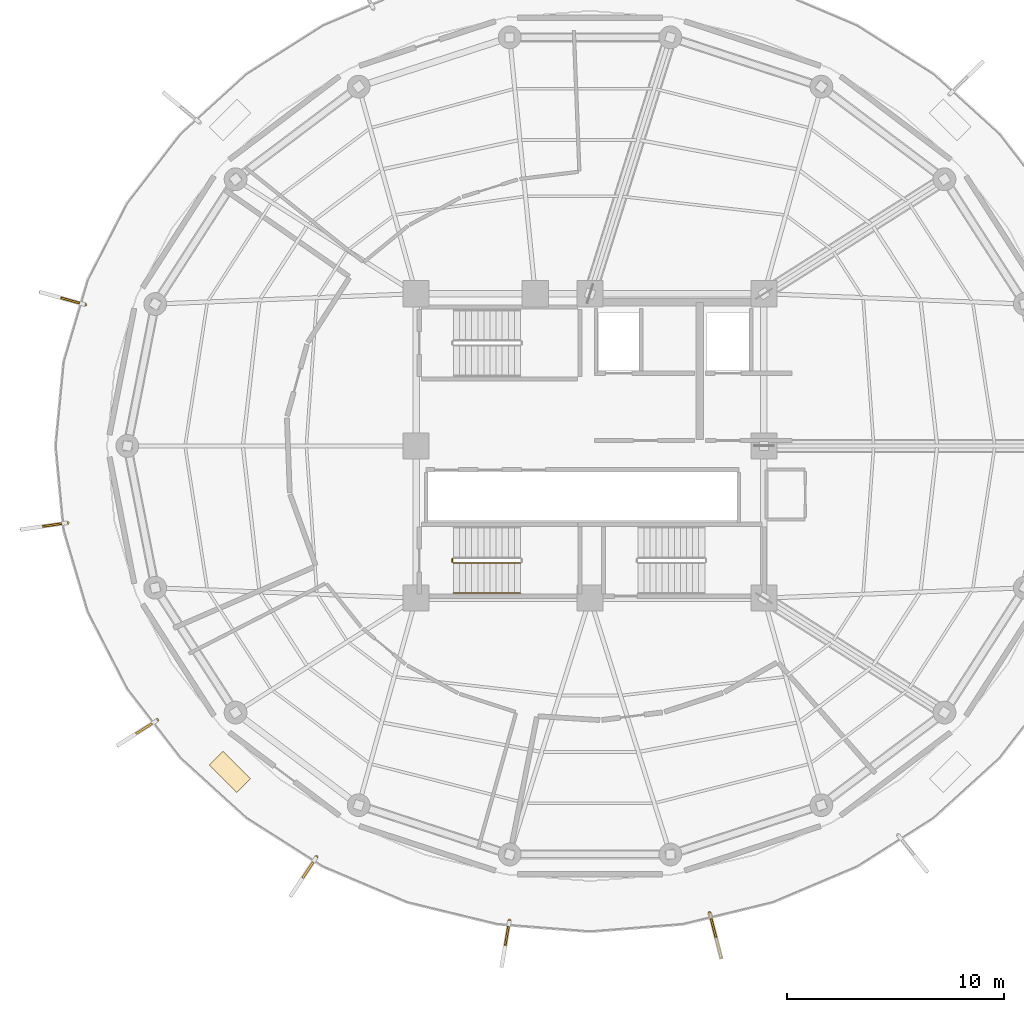
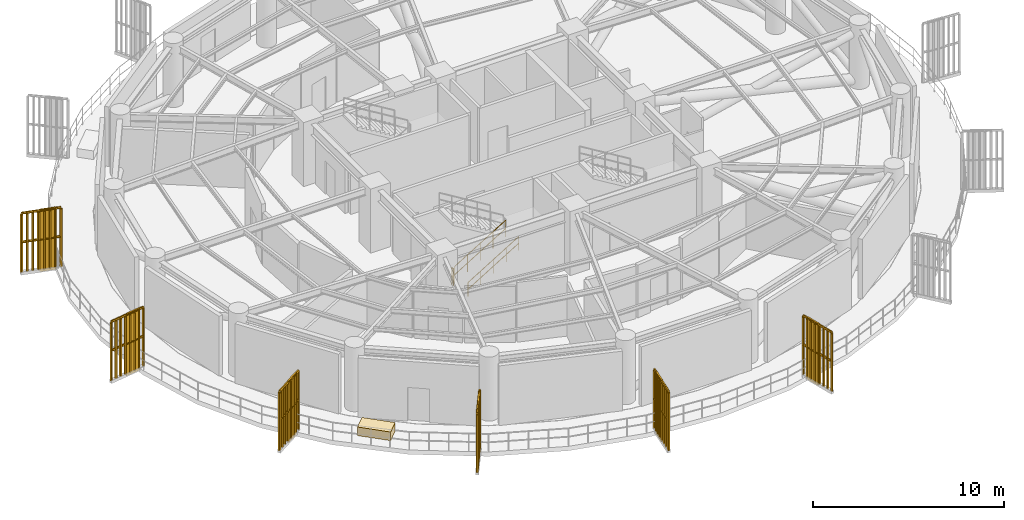
# One storey, part 7 of 10: 9 railings, 6 shading devices, 1 covering.
"""IFC4 building model written with IfcOpenShell, lengths in metres."""

import ifcopenshell
import ifcopenshell.guid

model = None  # the IFC model being written
_history = None  # IfcOwnerHistory: only IFC2X3 demands one
_inside = {}  # id of a spatial element -> (the spatial element, [elements in it])
_under = {}  # id of a project, library or spatial element -> (it, [spatial elements below it])
_declared = {}  # id of a project -> (the project, [libraries it declares])
_typed = {}  # id of a type object -> (the type object, [elements of that type])
_made_of = {}  # id of a material, layer set ... -> (it, [elements and type objects made of it])


def new_model(schema):
    """Start an empty IFC model of exactly this schema.

    Asked for "IFC4X3", IfcOpenShell would pick the latest addendum, in which some entities
    have other attributes; the version numbers below select the first issue.
    IFC2X3 requires an IfcOwnerHistory on every rooted entity: one is made here for all.
    """
    global model, _history
    if schema == "IFC4X3":
        model = ifcopenshell.file(schema_version=(4, 3, 0, 0))
    else:
        model = ifcopenshell.file(schema=schema)
    _inside.clear()
    _under.clear()
    _declared.clear()
    _typed.clear()
    _made_of.clear()
    _history = None
    if model.schema == "IFC2X3":
        org = make("IfcOrganization", Name="unknown")
        user = make(
            "IfcPersonAndOrganization",
            ThePerson=make("IfcPerson", FamilyName="unknown"),
            TheOrganization=org,
        )
        app = make(
            "IfcApplication",
            ApplicationDeveloper=org,
            Version="unknown",
            ApplicationFullName="unknown",
            ApplicationIdentifier="unknown",
        )
        _history = make(
            "IfcOwnerHistory",
            OwningUser=user,
            OwningApplication=app,
            ChangeAction="ADDED",
            CreationDate=0,
        )
    return model


def make(cls, **values):
    """One entity of the class cls with the attributes given. An attribute that is None is left unset."""
    return model.create_entity(
        cls, **{name: value for name, value in values.items() if value is not None}
    )


def rooted(cls, **values):
    """An entity with a GlobalId (a new one), such as an element, a storey or a relation."""
    return make(cls, GlobalId=ifcopenshell.guid.new(), OwnerHistory=_history, **values)


def si_unit(unit_type, name, prefix=None):
    """IfcSIUnit, for example si_unit("LENGTHUNIT", "METRE", prefix="MILLI")."""
    return make("IfcSIUnit", UnitType=unit_type, Prefix=prefix, Name=name)


def assignment(units):
    """IfcUnitAssignment: the units of a project."""
    return None if units is None else make("IfcUnitAssignment", Units=units)


def point(xyz):
    """IfcCartesianPoint."""
    return None if xyz is None else make("IfcCartesianPoint", Coordinates=xyz)


def direction(xyz):
    """IfcDirection."""
    return None if xyz is None else make("IfcDirection", DirectionRatios=xyz)


def frame(location, z_axis=None, x_axis=None):
    """IfcAxis2Placement3D, a coordinate frame: its origin and axes. An axis left out is left unset."""
    return make(
        "IfcAxis2Placement3D",
        Location=point(location),
        Axis=direction(z_axis),
        RefDirection=direction(x_axis),
    )


def frame_2d(location, x_axis=None):
    """IfcAxis2Placement2D, a coordinate frame in the plane: its origin and x axis."""
    return make(
        "IfcAxis2Placement2D", Location=point(location), RefDirection=direction(x_axis)
    )


def origin():
    """The frame at (0, 0, 0) with its axes left unset."""
    return frame((0.0, 0.0, 0.0))


def origin_2d():
    """The frame at (0, 0) in the plane with its x axis left unset."""
    return frame_2d((0.0, 0.0))


def place(relative_to, where):
    """IfcLocalPlacement: puts the frame where relative to a parent placement (None: the world)."""
    return make(
        "IfcLocalPlacement", PlacementRelTo=relative_to, RelativePlacement=where
    )


def context(
    kind, dimensions, precision=None, world=None, true_north=None, identifier=None
):
    """IfcGeometricRepresentationContext, for example the 3D "Model" context."""
    return make(
        "IfcGeometricRepresentationContext",
        ContextIdentifier=identifier,
        ContextType=kind,
        CoordinateSpaceDimension=dimensions,
        Precision=precision,
        WorldCoordinateSystem=world,
        TrueNorth=true_north,
    )


def subcontext(parent, identifier, kind, view, scale=None):
    """IfcGeometricRepresentationSubContext, for example "Body" below "Model"."""
    return make(
        "IfcGeometricRepresentationSubContext",
        ContextIdentifier=identifier,
        ContextType=kind,
        ParentContext=parent,
        TargetScale=scale,
        TargetView=view,
    )


def project(units=None, contexts=None):
    """IfcProject with its units and contexts."""
    return rooted(
        "IfcProject",
        Name="project",
        RepresentationContexts=contexts,
        UnitsInContext=assignment(units),
    )


def spatial(cls, under=None, at=None, **own):
    """A site, building, storey or space (cls), placed at a placement, below another one or the project."""
    s = rooted(cls, ObjectPlacement=at, **own)
    if under is not None:
        _under.setdefault(under.id(), (under, []))[1].append(s)
    return s


def polyline(points):
    """IfcPolyline through the points."""
    return make("IfcPolyline", Points=[point(p) for p in points])


def profile(cls, at=None, kind="AREA", **sizes):
    """A parametric profile (cls). Its sizes go by their IFC names, for example OverallWidth=200.0."""
    return make(cls, ProfileType=kind, Position=at, **sizes)


def rectangle(**sizes):
    """IfcRectangleProfileDef."""
    return profile("IfcRectangleProfileDef", **sizes)


def outline(outer, holes=None, kind="AREA"):
    """IfcArbitraryClosedProfileDef: a profile drawn as a closed curve; with holes, ...WithVoids."""
    if holes is None:
        return make("IfcArbitraryClosedProfileDef", ProfileType=kind, OuterCurve=outer)
    return make(
        "IfcArbitraryProfileDefWithVoids",
        ProfileType=kind,
        OuterCurve=outer,
        InnerCurves=holes,
    )


def extrude(swept, where, along, depth):
    """IfcExtrudedAreaSolid: the profile swept, set in the frame where, extruded along a direction by depth."""
    return make(
        "IfcExtrudedAreaSolid",
        SweptArea=swept,
        Position=where,
        ExtrudedDirection=direction(along),
        Depth=depth,
    )


def shape(context_of_items, identifier, shape_type, items):
    """IfcShapeRepresentation: the items that make up one representation, for example the "Body"."""
    return make(
        "IfcShapeRepresentation",
        ContextOfItems=context_of_items,
        RepresentationIdentifier=identifier,
        RepresentationType=shape_type,
        Items=items,
    )


def source(mapping_origin, context_of_items, identifier, shape_type, items):
    """IfcRepresentationMap: a shape defined once, which mapped items show again and again."""
    return make(
        "IfcRepresentationMap",
        MappingOrigin=mapping_origin,
        MappedRepresentation=shape(context_of_items, identifier, shape_type, items),
    )


def transform(
    local_origin,
    x_axis=None,
    y_axis=None,
    z_axis=None,
    scale=None,
    scale2=None,
    scale3=None,
    uniform=True,
):
    """IfcCartesianTransformationOperator3D, or its non-uniform kind. x_axis, y_axis, z_axis: its Axis1, 2, 3."""
    if uniform:
        return make(
            "IfcCartesianTransformationOperator3D",
            Axis1=direction(x_axis),
            Axis2=direction(y_axis),
            LocalOrigin=point(local_origin),
            Scale=scale,
            Axis3=direction(z_axis),
        )
    return make(
        "IfcCartesianTransformationOperator3DnonUniform",
        Axis1=direction(x_axis),
        Axis2=direction(y_axis),
        LocalOrigin=point(local_origin),
        Scale=scale,
        Axis3=direction(z_axis),
        Scale2=scale2,
        Scale3=scale3,
    )


def mapped(mapping_source, mapping_target):
    """IfcMappedItem: shows the shape of a source again, moved by a transform."""
    return make(
        "IfcMappedItem", MappingSource=mapping_source, MappingTarget=mapping_target
    )


def material(Name=None, Category=None):
    """IfcMaterial."""
    return make("IfcMaterial", Name=Name, Category=Category)


def layer(
    of_material, thickness, ventilated=None, Name=None, Category=None, Priority=None
):
    """IfcMaterialLayer: one layer of a wall or slab, of a material (None: an air gap)."""
    return make(
        "IfcMaterialLayer",
        Material=of_material,
        LayerThickness=thickness,
        IsVentilated=ventilated,
        Name=Name,
        Category=Category,
        Priority=Priority,
    )


def layer_set(layers, Name=None):
    """IfcMaterialLayerSet."""
    return make("IfcMaterialLayerSet", MaterialLayers=layers, LayerSetName=Name)


def made_of(thing, what):
    """Note that an element or type object is made of a material, layer set ...; save() writes the relation."""
    if what is not None:
        _made_of.setdefault(what.id(), (what, []))[1].append(thing)
    return thing


def type_object(cls, material=None, **own):
    """A type object (cls), such as IfcWallType, which elements share."""
    return made_of(rooted(cls, **own), material)


def element(
    cls,
    number,
    at=None,
    inside=None,
    cuts=None,
    type_object=None,
    material=None,
    context=None,
    identifier="Body",
    shape_type=None,
    held_by="IfcProductDefinitionShape",
    body=None,
    shapes=None,
    **own,
):
    """One element of the class cls, such as IfcWall. Its Tag is "e" and its number.

    at: its placement. inside: the storey or other place that contains it. cuts: it is an
    opening in that element (IfcRelVoidsElement). A single representation is given by context,
    identifier, shape_type and body (its items); several are given by shapes. held_by: the class
    of the entity that holds the representations. save() writes the other relations.
    """
    e = rooted(cls, Tag="e%d" % number, ObjectPlacement=at, **own)
    if body is not None:
        shapes = [shape(context, identifier, shape_type, body)]
    if shapes is not None:
        e.Representation = make(held_by, Representations=shapes)
    if inside is not None:
        _inside.setdefault(inside.id(), (inside, []))[1].append(e)
    if cuts is not None:
        rooted(
            "IfcRelVoidsElement", RelatingBuildingElement=cuts, RelatedOpeningElement=e
        )
    if type_object is not None:
        _typed.setdefault(type_object.id(), (type_object, []))[1].append(e)
    return made_of(e, material)


def aggregate(whole, parts):
    """IfcRelAggregates: a whole, such as a stair, and the parts it consists of."""
    return rooted("IfcRelAggregates", RelatingObject=whole, RelatedObjects=parts)


def save(model, path):
    """Write the relations noted so far, then the file.

    IfcRelAggregates (storeys below a building ...), IfcRelContainedInSpatialStructure (elements
    in a storey), IfcRelDefinesByType, IfcRelAssociatesMaterial and IfcRelDeclares: one each for
    every whole, place, type object, material and project.
    """
    for whole, parts in _under.values():
        aggregate(whole, parts)
    for where, things in _inside.values():
        rooted(
            "IfcRelContainedInSpatialStructure",
            RelatedElements=things,
            RelatingStructure=where,
        )
    for kind, things in _typed.values():
        rooted("IfcRelDefinesByType", RelatedObjects=things, RelatingType=kind)
    for what, things in _made_of.values():
        rooted("IfcRelAssociatesMaterial", RelatedObjects=things, RelatingMaterial=what)
    for by, libraries in _declared.values():
        rooted("IfcRelDeclares", RelatingContext=by, RelatedDefinitions=libraries)
    model.write(path)


model = new_model("IFC4")

# Units and contexts
model_context = context("Model", 3, precision=1e-05, world=origin(), true_north=direction((0.0, 1.0)))
body_context = subcontext(model_context, "Body", "Model", "MODEL_VIEW")
ifc_project = project(units=[si_unit("LENGTHUNIT", "METRE"), si_unit("AREAUNIT", "SQUARE_METRE"), si_unit("VOLUMEUNIT", "CUBIC_METRE"), si_unit("PLANEANGLEUNIT", "RADIAN"), si_unit("MASSUNIT", "GRAM", prefix="KILO")], contexts=[model_context])

# Site, building, storey
site_placement = place(None, origin())
site = spatial("IfcSite", under=ifc_project, at=site_placement, CompositionType="ELEMENT")
building_placement = place(site_placement, origin())
building = spatial("IfcBuilding", under=site, at=building_placement, Name="Kelanora Arch Commons", CompositionType="ELEMENT")
storey_placement = place(building_placement, frame((0.0, 0.0, 189.110107421875)))
storey = spatial("IfcBuildingStorey", under=building, at=storey_placement, Name="L48", CompositionType="ELEMENT", Elevation=189.110107421875)

# Railings
ifc_material_1 = material(Name="Anodised bronze vertical shading fin rib assembly")
railing_type_1 = type_object("IfcRailingType", Name="RAIL-FIN-BRZ", PredefinedType="BALUSTRADE", material=ifc_material_1)
railing_1_placement = place(storey_placement, frame((50.784912109375, 64.49609375, -0.02001953125)))
element("IfcRailing", 1, at=railing_1_placement, inside=storey, type_object=railing_type_1, Name="Sweeping Bronze Vertical Fin Blade L48-08", PredefinedType="BALUSTRADE", context=body_context, shape_type="SweptSolid", body=[
    extrude(outline(polyline([(0.06982421875, 0.0), (0.034912109375, 0.060546875), (-0.034912109375, 0.060546875), (-0.06982421875, 0.0), (-0.034912109375, -0.060546875), (0.034912109375, -0.060546875), (0.06982421875, 0.0)])), frame((0.0, 0.0, 3.76025390625), z_axis=(-0.962980682712, 0.269570407729, 0.0), x_axis=(-0.269570407729, -0.962980682712, 0.0)), (0.0, 0.0, 1.0), 2.130126953125),
    extrude(outline(polyline([(0.06982421875, 0.0), (0.034912109375, 0.060546875), (-0.034912109375, 0.060546875), (-0.06982421875, 0.0), (-0.034912109375, -0.060546875), (0.034912109375, -0.060546875), (0.06982421875, 0.0)])), frame((0.0, 0.0, 1.9150390625), z_axis=(-0.962980682712, 0.269570407729, 0.0), x_axis=(-0.269570407729, -0.962980682712, 0.0)), (0.0, 0.0, 1.0), 2.130126953125),
    extrude(outline(polyline([(0.080078125, 0.0), (0.0400390625, 0.0693359375), (-0.0400390625, 0.0693359375), (-0.080078125, 0.0), (-0.0400390625, -0.0693359375), (0.0400390625, -0.0693359375), (0.080078125, 0.0)])), origin(), (0.0, 0.0, 1.0), 3.690185546875),
    extrude(outline(polyline([(0.080078125, 0.0), (0.0400390625, 0.0693359375), (-0.0400390625, 0.0693359375), (-0.080078125, 0.0), (-0.0400390625, -0.0693359375), (0.0400390625, -0.0693359375), (0.080078125, 0.0)])), frame((-0.29296875, 0.08203125, 0.0)), (0.0, 0.0, 1.0), 3.690185546875),
    extrude(outline(polyline([(0.080078125, 0.0), (0.0400390625, 0.0693359375), (-0.0400390625, 0.0693359375), (-0.080078125, 0.0), (-0.0400390625, -0.0693359375), (0.0400390625, -0.0693359375), (0.080078125, 0.0)])), frame((-0.586181640625, 0.1640625, 0.0)), (0.0, 0.0, 1.0), 3.690185546875),
    extrude(outline(polyline([(0.080078125, 0.0), (0.0400390625, 0.0693359375), (-0.0400390625, 0.0693359375), (-0.080078125, 0.0), (-0.0400390625, -0.0693359375), (0.0400390625, -0.0693359375), (0.080078125, 0.0)])), frame((-0.879150390625, 0.24609375, 0.0)), (0.0, 0.0, 1.0), 3.690185546875),
    extrude(outline(polyline([(0.080078125, 0.0), (0.0400390625, 0.0693359375), (-0.0400390625, 0.0693359375), (-0.080078125, 0.0), (-0.0400390625, -0.0693359375), (0.0400390625, -0.0693359375), (0.080078125, 0.0)])), frame((-1.172119140625, 0.328125, 0.0)), (0.0, 0.0, 1.0), 3.690185546875),
    extrude(outline(polyline([(0.080078125, 0.0), (0.0400390625, 0.0693359375), (-0.0400390625, 0.0693359375), (-0.080078125, 0.0), (-0.0400390625, -0.0693359375), (0.0400390625, -0.0693359375), (0.080078125, 0.0)])), frame((-1.465087890625, 0.41015625, 0.0)), (0.0, 0.0, 1.0), 3.690185546875),
    extrude(outline(polyline([(0.080078125, 0.0), (0.0400390625, 0.0693359375), (-0.0400390625, 0.0693359375), (-0.080078125, 0.0), (-0.0400390625, -0.0693359375), (0.0400390625, -0.0693359375), (0.080078125, 0.0)])), frame((-1.75830078125, 0.4921875, 0.0)), (0.0, 0.0, 1.0), 3.690185546875),
    extrude(outline(polyline([(0.080078125, 0.0), (0.0400390625, 0.0693359375), (-0.0400390625, 0.0693359375), (-0.080078125, 0.0), (-0.0400390625, -0.0693359375), (0.0400390625, -0.0693359375), (0.080078125, 0.0)])), frame((-2.05126953125, 0.57421875, 0.0)), (0.0, 0.0, 1.0), 3.690185546875),
])
railing_2_placement = place(storey_placement, frame((49.97119140625, 54.4658203125, -0.02001953125)))
element("IfcRailing", 2, at=railing_2_placement, inside=storey, type_object=railing_type_1, Name="Sweeping Bronze Vertical Fin Blade L48-09", PredefinedType="BALUSTRADE", context=body_context, shape_type="SweptSolid", body=[
    extrude(outline(polyline([(0.06982421875, 0.0), (0.034912109375, 0.060546875), (-0.034912109375, 0.060546875), (-0.06982421875, 0.0), (-0.034912109375, -0.060546875), (0.034912109375, -0.060546875), (0.06982421875, 0.0)])), frame((0.0, 0.0, 3.76025390625), z_axis=(-0.989363502665, -0.145464289756, 0.0), x_axis=(0.145464289756, -0.989363502665, 0.0)), (0.0, 0.0, 1.0), 2.1298828125),
    extrude(outline(polyline([(0.06982421875, 0.0), (0.034912109375, 0.060546875), (-0.034912109375, 0.060546875), (-0.06982421875, 0.0), (-0.034912109375, -0.060546875), (0.034912109375, -0.060546875), (0.06982421875, 0.0)])), frame((0.0, 0.0, 1.9150390625), z_axis=(-0.989363502665, -0.145464289756, 0.0), x_axis=(0.145464289756, -0.989363502665, 0.0)), (0.0, 0.0, 1.0), 2.1298828125),
    extrude(outline(polyline([(0.080078125, 0.0), (0.0400390625, 0.0693359375), (-0.0400390625, 0.0693359375), (-0.080078125, 0.0), (-0.0400390625, -0.0693359375), (0.0400390625, -0.0693359375), (0.080078125, 0.0)])), origin(), (0.0, 0.0, 1.0), 3.690185546875),
    extrude(outline(polyline([(0.080078125, 0.0), (0.0400390625, 0.0693359375), (-0.0400390625, 0.0693359375), (-0.080078125, 0.0), (-0.0400390625, -0.0693359375), (0.0400390625, -0.0693359375), (0.080078125, 0.0)])), frame((-0.301025390625, -0.044189453125, 0.0)), (0.0, 0.0, 1.0), 3.690185546875),
    extrude(outline(polyline([(0.080078125, 0.0), (0.0400390625, 0.0693359375), (-0.0400390625, 0.0693359375), (-0.080078125, 0.0), (-0.0400390625, -0.0693359375), (0.0400390625, -0.0693359375), (0.080078125, 0.0)])), frame((-0.60205078125, -0.088623046875, 0.0)), (0.0, 0.0, 1.0), 3.690185546875),
    extrude(outline(polyline([(0.080078125, 0.0), (0.0400390625, 0.0693359375), (-0.0400390625, 0.0693359375), (-0.080078125, 0.0), (-0.0400390625, -0.0693359375), (0.0400390625, -0.0693359375), (0.080078125, 0.0)])), frame((-0.903076171875, -0.1328125, 0.0)), (0.0, 0.0, 1.0), 3.690185546875),
    extrude(outline(polyline([(0.080078125, 0.0), (0.0400390625, 0.0693359375), (-0.0400390625, 0.0693359375), (-0.080078125, 0.0), (-0.0400390625, -0.0693359375), (0.0400390625, -0.0693359375), (0.080078125, 0.0)])), frame((-1.2041015625, -0.177001953125, 0.0)), (0.0, 0.0, 1.0), 3.690185546875),
    extrude(outline(polyline([(0.080078125, 0.0), (0.0400390625, 0.0693359375), (-0.0400390625, 0.0693359375), (-0.080078125, 0.0), (-0.0400390625, -0.0693359375), (0.0400390625, -0.0693359375), (0.080078125, 0.0)])), frame((-1.505126953125, -0.22119140625, 0.0)), (0.0, 0.0, 1.0), 3.690185546875),
    extrude(outline(polyline([(0.080078125, 0.0), (0.0400390625, 0.0693359375), (-0.0400390625, 0.0693359375), (-0.080078125, 0.0), (-0.0400390625, -0.0693359375), (0.0400390625, -0.0693359375), (0.080078125, 0.0)])), frame((-1.80615234375, -0.265625, 0.0)), (0.0, 0.0, 1.0), 3.690185546875),
    extrude(outline(polyline([(0.080078125, 0.0), (0.0400390625, 0.0693359375), (-0.0400390625, 0.0693359375), (-0.080078125, 0.0), (-0.0400390625, -0.0693359375), (0.0400390625, -0.0693359375), (0.080078125, 0.0)])), frame((-2.107177734375, -0.309814453125, 0.0)), (0.0, 0.0, 1.0), 3.690185546875),
])
railing_3_placement = place(storey_placement, frame((54.095458984375, 45.38427734375, -0.02001953125)))
element("IfcRailing", 3, at=railing_3_placement, inside=storey, type_object=railing_type_1, Name="Sweeping Bronze Vertical Fin Blade L48-10", PredefinedType="BALUSTRADE", context=body_context, shape_type="SweptSolid", body=[
    extrude(outline(polyline([(0.06982421875, 0.0), (0.034912109375, 0.060546875), (-0.034912109375, 0.060546875), (-0.06982421875, 0.0), (-0.034912109375, -0.060546875), (0.034912109375, -0.060546875), (0.06982421875, 0.0)])), frame((0.0, 0.0, 3.76025390625), z_axis=(-0.8446135023, -0.535376532669, 0.0), x_axis=(0.535376532669, -0.8446135023, 0.0)), (0.0, 0.0, 1.0), 2.130126953125),
    extrude(outline(polyline([(0.06982421875, 0.0), (0.034912109375, 0.060546875), (-0.034912109375, 0.060546875), (-0.06982421875, 0.0), (-0.034912109375, -0.060546875), (0.034912109375, -0.060546875), (0.06982421875, 0.0)])), frame((0.0, 0.0, 1.9150390625), z_axis=(-0.8446135023, -0.535376532669, 0.0), x_axis=(0.535376532669, -0.8446135023, 0.0)), (0.0, 0.0, 1.0), 2.130126953125),
    extrude(outline(polyline([(0.080078125, 0.0), (0.0400390625, 0.0693359375), (-0.0400390625, 0.0693359375), (-0.080078125, 0.0), (-0.0400390625, -0.0693359375), (0.0400390625, -0.0693359375), (0.080078125, 0.0)])), origin(), (0.0, 0.0, 1.0), 3.690185546875),
    extrude(outline(polyline([(0.080078125, 0.0), (0.0400390625, 0.0693359375), (-0.0400390625, 0.0693359375), (-0.080078125, 0.0), (-0.0400390625, -0.0693359375), (0.0400390625, -0.0693359375), (0.080078125, 0.0)])), frame((-0.257080078125, -0.162841796875, 0.0)), (0.0, 0.0, 1.0), 3.690185546875),
    extrude(outline(polyline([(0.080078125, 0.0), (0.0400390625, 0.0693359375), (-0.0400390625, 0.0693359375), (-0.080078125, 0.0), (-0.0400390625, -0.0693359375), (0.0400390625, -0.0693359375), (0.080078125, 0.0)])), frame((-0.513916015625, -0.325927734375, 0.0)), (0.0, 0.0, 1.0), 3.690185546875),
    extrude(outline(polyline([(0.080078125, 0.0), (0.0400390625, 0.0693359375), (-0.0400390625, 0.0693359375), (-0.080078125, 0.0), (-0.0400390625, -0.0693359375), (0.0400390625, -0.0693359375), (0.080078125, 0.0)])), frame((-0.77099609375, -0.48876953125, 0.0)), (0.0, 0.0, 1.0), 3.690185546875),
    extrude(outline(polyline([(0.080078125, 0.0), (0.0400390625, 0.0693359375), (-0.0400390625, 0.0693359375), (-0.080078125, 0.0), (-0.0400390625, -0.0693359375), (0.0400390625, -0.0693359375), (0.080078125, 0.0)])), frame((-1.028076171875, -0.651611328125, 0.0)), (0.0, 0.0, 1.0), 3.690185546875),
    extrude(outline(polyline([(0.080078125, 0.0), (0.0400390625, 0.0693359375), (-0.0400390625, 0.0693359375), (-0.080078125, 0.0), (-0.0400390625, -0.0693359375), (0.0400390625, -0.0693359375), (0.080078125, 0.0)])), frame((-1.28515625, -0.814453125, 0.0)), (0.0, 0.0, 1.0), 3.690185546875),
    extrude(outline(polyline([(0.080078125, 0.0), (0.0400390625, 0.0693359375), (-0.0400390625, 0.0693359375), (-0.080078125, 0.0), (-0.0400390625, -0.0693359375), (0.0400390625, -0.0693359375), (0.080078125, 0.0)])), frame((-1.5419921875, -0.9775390625, 0.0)), (0.0, 0.0, 1.0), 3.690185546875),
    extrude(outline(polyline([(0.080078125, 0.0), (0.0400390625, 0.0693359375), (-0.0400390625, 0.0693359375), (-0.080078125, 0.0), (-0.0400390625, -0.0693359375), (0.0400390625, -0.0693359375), (0.080078125, 0.0)])), frame((-1.799072265625, -1.140380859375, 0.0)), (0.0, 0.0, 1.0), 3.690185546875),
])
railing_4_placement = place(storey_placement, frame((61.422607421875, 39.09326171875, -0.02001953125)))
element("IfcRailing", 4, at=railing_4_placement, inside=storey, type_object=railing_type_1, Name="Sweeping Bronze Vertical Fin Blade L48-11", PredefinedType="BALUSTRADE", context=body_context, shape_type="SweptSolid", body=[
    extrude(outline(polyline([(0.06982421875, 0.0), (0.034912109375, 0.060546875), (-0.034912109375, 0.060546875), (-0.06982421875, 0.0), (-0.034912109375, -0.060546875), (0.034912109375, -0.060546875), (0.06982421875, 0.0)])), frame((0.0, 0.0, 3.76025390625), z_axis=(-0.553853469867, -0.832614156687, 0.0), x_axis=(0.832614156687, -0.553853469867, 0.0)), (0.0, 0.0, 1.0), 2.1298828125),
    extrude(outline(polyline([(0.06982421875, 0.0), (0.034912109375, 0.060546875), (-0.034912109375, 0.060546875), (-0.06982421875, 0.0), (-0.034912109375, -0.060546875), (0.034912109375, -0.060546875), (0.06982421875, 0.0)])), frame((0.0, 0.0, 1.9150390625), z_axis=(-0.553853469867, -0.832614156687, 0.0), x_axis=(0.832614156687, -0.553853469867, 0.0)), (0.0, 0.0, 1.0), 2.1298828125),
    extrude(outline(polyline([(0.080078125, 0.0), (0.0400390625, 0.0693359375), (-0.0400390625, 0.0693359375), (-0.080078125, 0.0), (-0.0400390625, -0.0693359375), (0.0400390625, -0.0693359375), (0.080078125, 0.0)])), origin(), (0.0, 0.0, 1.0), 3.690185546875),
    extrude(outline(polyline([(0.080078125, 0.0), (0.0400390625, 0.0693359375), (-0.0400390625, 0.0693359375), (-0.080078125, 0.0), (-0.0400390625, -0.0693359375), (0.0400390625, -0.0693359375), (0.080078125, 0.0)])), frame((-0.16845703125, -0.25341796875, 0.0)), (0.0, 0.0, 1.0), 3.690185546875),
    extrude(outline(polyline([(0.080078125, 0.0), (0.0400390625, 0.0693359375), (-0.0400390625, 0.0693359375), (-0.080078125, 0.0), (-0.0400390625, -0.0693359375), (0.0400390625, -0.0693359375), (0.080078125, 0.0)])), frame((-0.337158203125, -0.506591796875, 0.0)), (0.0, 0.0, 1.0), 3.690185546875),
    extrude(outline(polyline([(0.080078125, 0.0), (0.0400390625, 0.0693359375), (-0.0400390625, 0.0693359375), (-0.080078125, 0.0), (-0.0400390625, -0.0693359375), (0.0400390625, -0.0693359375), (0.080078125, 0.0)])), frame((-0.505615234375, -0.760009765625, 0.0)), (0.0, 0.0, 1.0), 3.690185546875),
    extrude(outline(polyline([(0.080078125, 0.0), (0.0400390625, 0.0693359375), (-0.0400390625, 0.0693359375), (-0.080078125, 0.0), (-0.0400390625, -0.0693359375), (0.0400390625, -0.0693359375), (0.080078125, 0.0)])), frame((-0.674072265625, -1.013427734375, 0.0)), (0.0, 0.0, 1.0), 3.690185546875),
    extrude(outline(polyline([(0.080078125, 0.0), (0.0400390625, 0.0693359375), (-0.0400390625, 0.0693359375), (-0.080078125, 0.0), (-0.0400390625, -0.0693359375), (0.0400390625, -0.0693359375), (0.080078125, 0.0)])), frame((-0.842529296875, -1.266845703125, 0.0)), (0.0, 0.0, 1.0), 3.690185546875),
    extrude(outline(polyline([(0.080078125, 0.0), (0.0400390625, 0.0693359375), (-0.0400390625, 0.0693359375), (-0.080078125, 0.0), (-0.0400390625, -0.0693359375), (0.0400390625, -0.0693359375), (0.080078125, 0.0)])), frame((-1.01123046875, -1.52001953125, 0.0)), (0.0, 0.0, 1.0), 3.690185546875),
    extrude(outline(polyline([(0.080078125, 0.0), (0.0400390625, 0.0693359375), (-0.0400390625, 0.0693359375), (-0.080078125, 0.0), (-0.0400390625, -0.0693359375), (0.0400390625, -0.0693359375), (0.080078125, 0.0)])), frame((-1.1796875, -1.7734375, 0.0)), (0.0, 0.0, 1.0), 3.690185546875),
])
railing_5_placement = place(storey_placement, frame((70.29541015625, 36.17431640625, -0.02001953125)))
element("IfcRailing", 5, at=railing_5_placement, inside=storey, type_object=railing_type_1, Name="Sweeping Bronze Vertical Fin Blade L48-12", PredefinedType="BALUSTRADE", context=body_context, shape_type="SweptSolid", body=[
    extrude(outline(polyline([(0.06982421875, 0.0), (0.034912109375, 0.060546875), (-0.034912109375, 0.060546875), (-0.06982421875, 0.0), (-0.034912109375, -0.060546875), (0.034912109375, -0.060546875), (0.06982421875, 0.0)])), frame((0.0, 0.0, 3.76025390625), z_axis=(-0.167223420176, -0.985919026972, 0.0), x_axis=(0.985919026972, -0.167223420176, 0.0)), (0.0, 0.0, 1.0), 2.130126953125),
    extrude(outline(polyline([(0.06982421875, 0.0), (0.034912109375, 0.060546875), (-0.034912109375, 0.060546875), (-0.06982421875, 0.0), (-0.034912109375, -0.060546875), (0.034912109375, -0.060546875), (0.06982421875, 0.0)])), frame((0.0, 0.0, 1.9150390625), z_axis=(-0.167223420176, -0.985919026972, 0.0), x_axis=(0.985919026972, -0.167223420176, 0.0)), (0.0, 0.0, 1.0), 2.130126953125),
    extrude(outline(polyline([(0.080078125, 0.0), (0.0400390625, 0.0693359375), (-0.0400390625, 0.0693359375), (-0.080078125, 0.0), (-0.0400390625, -0.0693359375), (0.0400390625, -0.0693359375), (0.080078125, 0.0)])), origin(), (0.0, 0.0, 1.0), 3.690185546875),
    extrude(outline(polyline([(0.080078125, 0.0), (0.0400390625, 0.0693359375), (-0.0400390625, 0.0693359375), (-0.080078125, 0.0), (-0.0400390625, -0.0693359375), (0.0400390625, -0.0693359375), (0.080078125, 0.0)])), frame((-0.05078125, -0.300048828125, 0.0)), (0.0, 0.0, 1.0), 3.690185546875),
    extrude(outline(polyline([(0.080078125, 0.0), (0.0400390625, 0.0693359375), (-0.0400390625, 0.0693359375), (-0.080078125, 0.0), (-0.0400390625, -0.0693359375), (0.0400390625, -0.0693359375), (0.080078125, 0.0)])), frame((-0.101806640625, -0.60009765625, 0.0)), (0.0, 0.0, 1.0), 3.690185546875),
    extrude(outline(polyline([(0.080078125, 0.0), (0.0400390625, 0.0693359375), (-0.0400390625, 0.0693359375), (-0.080078125, 0.0), (-0.0400390625, -0.0693359375), (0.0400390625, -0.0693359375), (0.080078125, 0.0)])), frame((-0.152587890625, -0.900146484375, 0.0)), (0.0, 0.0, 1.0), 3.690185546875),
    extrude(outline(polyline([(0.080078125, 0.0), (0.0400390625, 0.0693359375), (-0.0400390625, 0.0693359375), (-0.080078125, 0.0), (-0.0400390625, -0.0693359375), (0.0400390625, -0.0693359375), (0.080078125, 0.0)])), frame((-0.20361328125, -1.199951171875, 0.0)), (0.0, 0.0, 1.0), 3.690185546875),
    extrude(outline(polyline([(0.080078125, 0.0), (0.0400390625, 0.0693359375), (-0.0400390625, 0.0693359375), (-0.080078125, 0.0), (-0.0400390625, -0.0693359375), (0.0400390625, -0.0693359375), (0.080078125, 0.0)])), frame((-0.25439453125, -1.5, 0.0)), (0.0, 0.0, 1.0), 3.690185546875),
    extrude(outline(polyline([(0.080078125, 0.0), (0.0400390625, 0.0693359375), (-0.0400390625, 0.0693359375), (-0.080078125, 0.0), (-0.0400390625, -0.0693359375), (0.0400390625, -0.0693359375), (0.080078125, 0.0)])), frame((-0.305419921875, -1.800048828125, 0.0)), (0.0, 0.0, 1.0), 3.690185546875),
    extrude(outline(polyline([(0.080078125, 0.0), (0.0400390625, 0.0693359375), (-0.0400390625, 0.0693359375), (-0.080078125, 0.0), (-0.0400390625, -0.0693359375), (0.0400390625, -0.0693359375), (0.080078125, 0.0)])), frame((-0.356201171875, -2.10009765625, 0.0)), (0.0, 0.0, 1.0), 3.690185546875),
])
railing_6_placement = place(storey_placement, frame((79.50048828125, 36.525634765625, -0.02001953125)))
element("IfcRailing", 6, at=railing_6_placement, inside=storey, type_object=railing_type_1, Name="Sweeping Bronze Vertical Fin Blade L48-13", PredefinedType="BALUSTRADE", context=body_context, shape_type="SweptSolid", body=[
    extrude(outline(polyline([(0.06982421875, 0.0), (0.034912109375, 0.060546875), (-0.034912109375, 0.060546875), (-0.06982421875, 0.0), (-0.034912109375, -0.060546875), (0.034912109375, -0.060546875), (0.06982421875, 0.0)])), frame((0.0, 0.0, 3.76025390625), z_axis=(0.248140951927, -0.96872393796, 0.0), x_axis=(0.96872393796, 0.248140951927, 0.0)), (0.0, 0.0, 1.0), 2.130126953125),
    extrude(outline(polyline([(0.06982421875, 0.0), (0.034912109375, 0.060546875), (-0.034912109375, 0.060546875), (-0.06982421875, 0.0), (-0.034912109375, -0.060546875), (0.034912109375, -0.060546875), (0.06982421875, 0.0)])), frame((0.0, 0.0, 1.9150390625), z_axis=(0.248140951927, -0.96872393796, 0.0), x_axis=(0.96872393796, 0.248140951927, 0.0)), (0.0, 0.0, 1.0), 2.130126953125),
    extrude(outline(polyline([(0.080078125, 0.0), (0.0400390625, 0.0693359375), (-0.0400390625, 0.0693359375), (-0.080078125, 0.0), (-0.0400390625, -0.0693359375), (0.0400390625, -0.0693359375), (0.080078125, 0.0)])), origin(), (0.0, 0.0, 1.0), 3.690185546875),
    extrude(outline(polyline([(0.080078125, 0.0), (0.0400390625, 0.0693359375), (-0.0400390625, 0.0693359375), (-0.080078125, 0.0), (-0.0400390625, -0.0693359375), (0.0400390625, -0.0693359375), (0.080078125, 0.0)])), frame((0.075439453125, -0.294677734375, 0.0)), (0.0, 0.0, 1.0), 3.690185546875),
    extrude(outline(polyline([(0.080078125, 0.0), (0.0400390625, 0.0693359375), (-0.0400390625, 0.0693359375), (-0.080078125, 0.0), (-0.0400390625, -0.0693359375), (0.0400390625, -0.0693359375), (0.080078125, 0.0)])), frame((0.151123046875, -0.589599609375, 0.0)), (0.0, 0.0, 1.0), 3.690185546875),
    extrude(outline(polyline([(0.080078125, 0.0), (0.0400390625, 0.0693359375), (-0.0400390625, 0.0693359375), (-0.080078125, 0.0), (-0.0400390625, -0.0693359375), (0.0400390625, -0.0693359375), (0.080078125, 0.0)])), frame((0.2265625, -0.88427734375, 0.0)), (0.0, 0.0, 1.0), 3.690185546875),
    extrude(outline(polyline([(0.080078125, 0.0), (0.0400390625, 0.0693359375), (-0.0400390625, 0.0693359375), (-0.080078125, 0.0), (-0.0400390625, -0.0693359375), (0.0400390625, -0.0693359375), (0.080078125, 0.0)])), frame((0.302001953125, -1.17919921875, 0.0)), (0.0, 0.0, 1.0), 3.690185546875),
    extrude(outline(polyline([(0.080078125, 0.0), (0.0400390625, 0.0693359375), (-0.0400390625, 0.0693359375), (-0.080078125, 0.0), (-0.0400390625, -0.0693359375), (0.0400390625, -0.0693359375), (0.080078125, 0.0)])), frame((0.37744140625, -1.473876953125, 0.0)), (0.0, 0.0, 1.0), 3.690185546875),
    extrude(outline(polyline([(0.080078125, 0.0), (0.0400390625, 0.0693359375), (-0.0400390625, 0.0693359375), (-0.080078125, 0.0), (-0.0400390625, -0.0693359375), (0.0400390625, -0.0693359375), (0.080078125, 0.0)])), frame((0.453125, -1.768798828125, 0.0)), (0.0, 0.0, 1.0), 3.690185546875),
    extrude(outline(polyline([(0.080078125, 0.0), (0.0400390625, 0.0693359375), (-0.0400390625, 0.0693359375), (-0.080078125, 0.0), (-0.0400390625, -0.0693359375), (0.0400390625, -0.0693359375), (0.080078125, 0.0)])), frame((0.528564453125, -2.0634765625, 0.0)), (0.0, 0.0, 1.0), 3.690185546875),
])
ifc_material_2 = material(Name="Painted steel stair well guard", Category="steel")
railing_type_2 = type_object("IfcRailingType", Name="RAIL-STAIR-GRD", PredefinedType="GUARDRAIL", material=ifc_material_2)
railing_7_placement = place(storey_placement, frame((67.719970703125, 52.610107421875, 0.17041015625)))
element("IfcRailing", 7, at=railing_7_placement, inside=storey, type_object=railing_type_2, Name="L48 ST-T3 stair guard 1", PredefinedType="GUARDRAIL", context=body_context, shape_type="SweptSolid", body=[
    extrude(outline(polyline([(0.02392578125, 0.0), (0.011962890625, 0.020751953125), (-0.011962890625, 0.020751953125), (-0.02392578125, 0.0), (-0.011962890625, -0.020751953125), (0.011962890625, -0.020751953125), (0.02392578125, 0.0)])), frame((0.0, 0.0, 1.076171875), z_axis=(0.854237778674, 0.0, 0.51988250354), x_axis=(0.0, 1.0, 0.0)), (0.0, 0.0, 1.0), 3.605712890625),
    extrude(outline(polyline([(0.02392578125, 0.0), (0.011962890625, 0.020751953125), (-0.011962890625, 0.020751953125), (-0.02392578125, 0.0), (-0.011962890625, -0.020751953125), (0.011962890625, -0.020751953125), (0.02392578125, 0.0)])), frame((0.0, 0.0, 0.550048828125), z_axis=(0.854237778674, 0.0, 0.51988250354), x_axis=(0.0, 1.0, 0.0)), (0.0, 0.0, 1.0), 3.605712890625),
    extrude(outline(polyline([(0.02099609375, 0.0), (0.010498046875, 0.01806640625), (-0.010498046875, 0.01806640625), (-0.02099609375, 0.0), (-0.010498046875, -0.01806640625), (0.010498046875, -0.01806640625), (0.02099609375, 0.0)])), origin(), (0.0, 0.0, 1.0), 1.052001953125),
    extrude(outline(polyline([(0.02099609375, 0.0), (0.010498046875, 0.01806640625), (-0.010498046875, 0.01806640625), (-0.02099609375, 0.0), (-0.010498046875, -0.01806640625), (0.010498046875, -0.01806640625), (0.02099609375, 0.0)])), frame((0.77001953125, 0.0, 0.46875)), (0.0, 0.0, 1.0), 1.052001953125),
    extrude(outline(polyline([(0.02099609375, 0.0), (0.010498046875, 0.01806640625), (-0.010498046875, 0.01806640625), (-0.02099609375, 0.0), (-0.010498046875, -0.01806640625), (0.010498046875, -0.01806640625), (0.02099609375, 0.0)])), frame((1.5400390625, 0.0, 0.937255859375)), (0.0, 0.0, 1.0), 1.052001953125),
    extrude(outline(polyline([(0.02099609375, 0.0), (0.010498046875, 0.01806640625), (-0.010498046875, 0.01806640625), (-0.02099609375, 0.0), (-0.010498046875, -0.01806640625), (0.010498046875, -0.01806640625), (0.02099609375, 0.0)])), frame((2.31005859375, 0.0, 1.40576171875)), (0.0, 0.0, 1.0), 1.052001953125),
    extrude(outline(polyline([(0.02099609375, 0.0), (0.010498046875, 0.01806640625), (-0.010498046875, 0.01806640625), (-0.02099609375, 0.0), (-0.010498046875, -0.01806640625), (0.010498046875, -0.01806640625), (0.02099609375, 0.0)])), frame((3.080078125, 0.0, 1.87451171875)), (0.0, 0.0, 1.0), 1.052001953125),
])
railing_8_placement = place(storey_placement, frame((67.669921875, 52.659912109375, 0.0)))
element("IfcRailing", 8, at=railing_8_placement, inside=storey, type_object=railing_type_2, Name="L48 ST-T3 stair guard 4", PredefinedType="GUARDRAIL", context=body_context, shape_type="SweptSolid", body=[
    extrude(outline(polyline([(0.02392578125, 0.0), (0.011962890625, 0.020751953125), (-0.011962890625, 0.020751953125), (-0.02392578125, 0.0), (-0.011962890625, -0.020751953125), (0.011962890625, -0.020751953125), (0.02392578125, 0.0)])), frame((0.0, 0.0, 1.076171875), z_axis=(0.0, 1.0, 0.0), x_axis=(-1.0, 0.0, 0.0)), (0.0, 0.0, 1.0), 0.150146484375),
    extrude(outline(polyline([(0.02392578125, 0.0), (0.011962890625, 0.020751953125), (-0.011962890625, 0.020751953125), (-0.02392578125, 0.0), (-0.011962890625, -0.020751953125), (0.011962890625, -0.020751953125), (0.02392578125, 0.0)])), frame((0.0, 0.0, 0.550048828125), z_axis=(0.0, 1.0, 0.0), x_axis=(-1.0, 0.0, 0.0)), (0.0, 0.0, 1.0), 0.150146484375),
    extrude(outline(polyline([(0.02099609375, 0.0), (0.010498046875, 0.01806640625), (-0.010498046875, 0.01806640625), (-0.02099609375, 0.0), (-0.010498046875, -0.01806640625), (0.010498046875, -0.01806640625), (0.02099609375, 0.0)])), origin(), (0.0, 0.0, 1.0), 1.052001953125),
    extrude(outline(polyline([(0.02099609375, 0.0), (0.010498046875, 0.01806640625), (-0.010498046875, 0.01806640625), (-0.02099609375, 0.0), (-0.010498046875, -0.01806640625), (0.010498046875, -0.01806640625), (0.02099609375, 0.0)])), frame((0.0, 0.150146484375, 0.0)), (0.0, 0.0, 1.0), 1.052001953125),
])
ifc_material_3 = material(Name="Brushed stainless steel stair handrail", Category="steel")
railing_type_3 = type_object("IfcRailingType", Name="RAIL-STAIR-HND", PredefinedType="HANDRAIL", material=ifc_material_3)
railing_9_placement = place(storey_placement, frame((67.719970703125, 51.22998046875, 0.17041015625)))
element("IfcRailing", 9, at=railing_9_placement, inside=storey, type_object=railing_type_3, Name="L48 ST-T3 stair handrail 1", PredefinedType="HANDRAIL", context=body_context, shape_type="SweptSolid", body=[
    extrude(outline(polyline([(0.02392578125, 0.0), (0.011962890625, 0.020751953125), (-0.011962890625, 0.020751953125), (-0.02392578125, 0.0), (-0.011962890625, -0.020751953125), (0.011962890625, -0.020751953125), (0.02392578125, 0.0)])), frame((0.0, 0.0, 0.8759765625), z_axis=(0.854237778674, 0.0, 0.51988250354), x_axis=(0.0, 1.0, 0.0)), (0.0, 0.0, 1.0), 3.605712890625),
    extrude(outline(polyline([(0.02392578125, 0.0), (0.011962890625, 0.020751953125), (-0.011962890625, 0.020751953125), (-0.02392578125, 0.0), (-0.011962890625, -0.020751953125), (0.011962890625, -0.020751953125), (0.02392578125, 0.0)])), frame((0.0, 0.0, 0.449951171875), z_axis=(0.854237778674, 0.0, 0.51988250354), x_axis=(0.0, 1.0, 0.0)), (0.0, 0.0, 1.0), 3.605712890625),
    extrude(outline(polyline([(0.02099609375, 0.0), (0.010498046875, 0.01806640625), (-0.010498046875, 0.01806640625), (-0.02099609375, 0.0), (-0.010498046875, -0.01806640625), (0.010498046875, -0.01806640625), (0.02099609375, 0.0)])), origin(), (0.0, 0.0, 1.0), 0.851806640625),
    extrude(outline(polyline([(0.02099609375, 0.0), (0.010498046875, 0.01806640625), (-0.010498046875, 0.01806640625), (-0.02099609375, 0.0), (-0.010498046875, -0.01806640625), (0.010498046875, -0.01806640625), (0.02099609375, 0.0)])), frame((0.77001953125, 0.0, 0.46875)), (0.0, 0.0, 1.0), 0.851806640625),
    extrude(outline(polyline([(0.02099609375, 0.0), (0.010498046875, 0.01806640625), (-0.010498046875, 0.01806640625), (-0.02099609375, 0.0), (-0.010498046875, -0.01806640625), (0.010498046875, -0.01806640625), (0.02099609375, 0.0)])), frame((1.5400390625, 0.0, 0.937255859375)), (0.0, 0.0, 1.0), 0.851806640625),
    extrude(outline(polyline([(0.02099609375, 0.0), (0.010498046875, 0.01806640625), (-0.010498046875, 0.01806640625), (-0.02099609375, 0.0), (-0.010498046875, -0.01806640625), (0.010498046875, -0.01806640625), (0.02099609375, 0.0)])), frame((2.31005859375, 0.0, 1.40576171875)), (0.0, 0.0, 1.0), 0.851806640625),
    extrude(outline(polyline([(0.02099609375, 0.0), (0.010498046875, 0.01806640625), (-0.010498046875, 0.01806640625), (-0.02099609375, 0.0), (-0.010498046875, -0.01806640625), (0.010498046875, -0.01806640625), (0.02099609375, 0.0)])), frame((3.080078125, 0.0, 1.87451171875)), (0.0, 0.0, 1.0), 0.851806640625),
])

# Covering
ifc_material_4 = material(Name="Architectural terracotta planter bed with planting soil", Category="masonry")
ifc_layer = layer(ifc_material_4, 0.550048828125)
ifc_layer_set = layer_set([ifc_layer], Name="Architectural terracotta planter bed with planting soil")
covering_type = type_object("IfcCoveringType", Name="COV-PLANTER", PredefinedType="USERDEFINED", material=ifc_layer_set)
shared_shape_1 = source(origin(), body_context, "Body", "SweptSolid", [
    extrude(rectangle(XDim=1.800048828125, YDim=0.89990234375, at=origin_2d()), origin(), (0.0, 0.0, 1.0), 0.550048828125),
])
covering_placement = place(storey_placement, frame((57.43603515625, 43.00927734375, 0.0), z_axis=(0.0, 0.0, 1.0), x_axis=(0.707106781187, -0.707106781187, 0.0)))
element("IfcCovering", 10, at=covering_placement, inside=storey, type_object=covering_type, Name="Sky-Terrace Planter L48-3", ObjectType="PLANTER", PredefinedType="USERDEFINED", context=body_context, shape_type="MappedRepresentation", body=[
    mapped(shared_shape_1, transform((0.0, 0.0, 0.0), scale=1.0)),
])

# Shading devices
ifc_material_5 = material(Name="Terracotta ceramic-clad extruded aluminium fin", Category="masonry")
shading_device_type = type_object("IfcShadingDeviceType", Name="SHD-FIN-FLARE", PredefinedType="USERDEFINED", material=ifc_material_5)
shared_shape_2 = source(origin(), body_context, "Body", "SweptSolid", [
    extrude(rectangle(XDim=0.8798828125, YDim=0.090087890625, at=origin_2d()), origin(), (0.0, 0.0, 1.0), 3.949951171875),
])
for number, where, z_axis, x_axis, name in (
    (11, (50.091552734375, 64.690185546875, -0.14013671875), (0.0, 0.0, 1.0), (-0.963021628687, 0.26942409447, 0.0), "Sweeping Terracotta Fin L48-08"),
    (12, (49.2587890625, 54.361083984375, -0.14013671875), (0.0, 0.0, 1.0), (-0.989348686247, -0.145565026779, 0.0), "Sweeping Terracotta Fin L48-09"),
    (13, (53.4873046875, 44.998779296875, -0.14013671875), (0.0, 0.0, 1.0), (-0.844608368004, -0.535384632481, 0.0), "Sweeping Terracotta Fin L48-10"),
    (14, (61.02392578125, 38.493896484375, -0.14013671875), (0.0, 0.0, 1.0), (-0.553827589908, -0.832631371411, 0.0), "Sweeping Terracotta Fin L48-11"),
    (15, (70.175048828125, 35.46435546875, -0.14013671875), (0.0, 0.0, 1.0), (-0.16728499015, -0.985908582005, 0.0), "Sweeping Terracotta Fin L48-12"),
    (16, (79.67919921875, 35.828125, -0.14013671875), (0.0, 0.0, 1.0), (0.248182704141, -0.968713242072, 0.0), "Sweeping Terracotta Fin L48-13"),
):
    element("IfcShadingDevice", number, at=place(storey_placement, frame(where, z_axis=z_axis, x_axis=x_axis)), inside=storey, type_object=shading_device_type, Name=name, ObjectType="FIN", PredefinedType="USERDEFINED", context=body_context, shape_type="MappedRepresentation", body=[
        mapped(shared_shape_2, transform((0.0, 0.0, 0.0), scale=1.0)),
    ])

save(model, "model.ifc")
